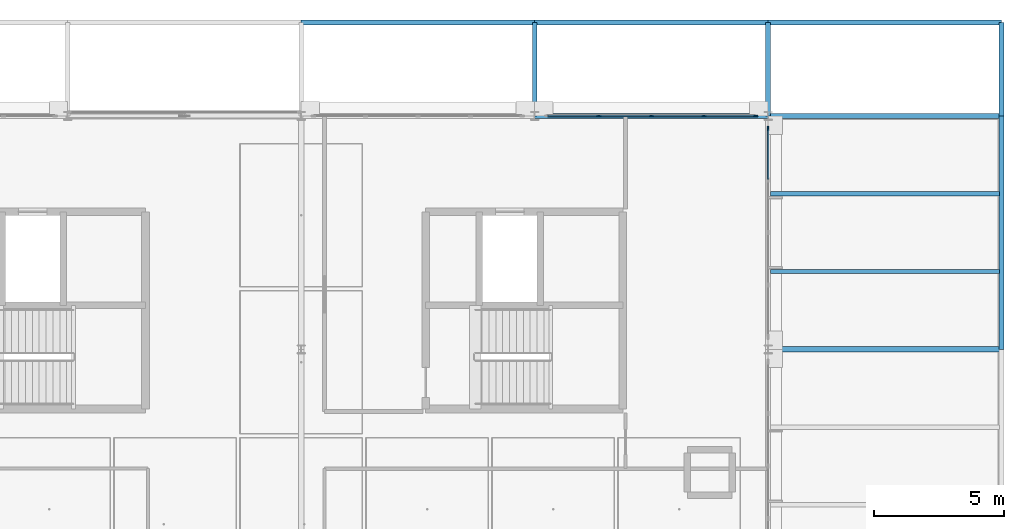
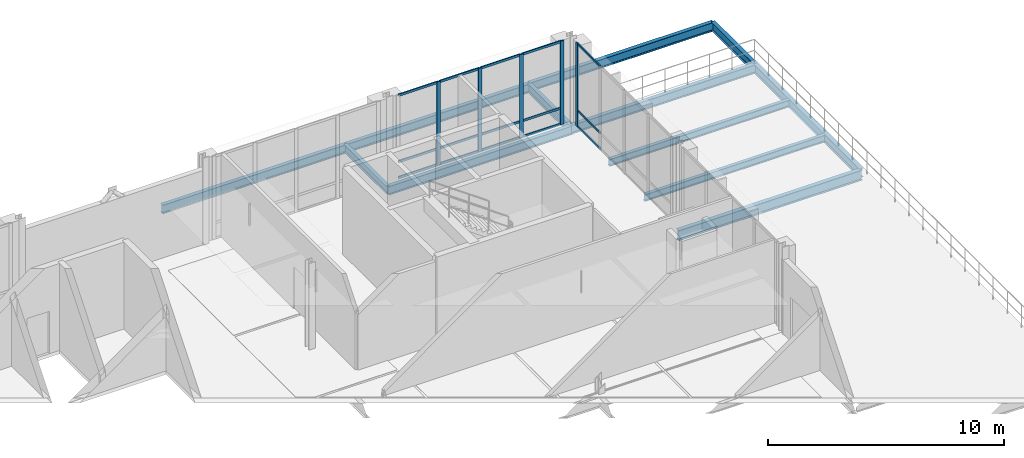
# One storey, part 33 of 66: 20 members, 12 beams, 2 elements without a shape of their own.
"""IFC4 building model written with IfcOpenShell, lengths in metres."""

from ifc_helpers import new_model, si_unit, direction, frame, origin, origin_2d, place, context, subcontext, project, spatial, rectangle, i_section, extrude, material, material_profile, profile_set, type_object, element, aggregate, save


model = new_model("IFC4")

# Units and contexts
model_context = context("Model", 3, precision=1e-05, world=origin(), true_north=direction((0.0, 1.0)))
body_context = subcontext(model_context, "Body", "Model", "MODEL_VIEW")
ifc_project = project(units=[si_unit("LENGTHUNIT", "METRE"), si_unit("AREAUNIT", "SQUARE_METRE"), si_unit("VOLUMEUNIT", "CUBIC_METRE"), si_unit("PLANEANGLEUNIT", "RADIAN"), si_unit("MASSUNIT", "GRAM", prefix="KILO"), si_unit("THERMODYNAMICTEMPERATUREUNIT", "KELVIN"), si_unit("POWERUNIT", "WATT")], contexts=[model_context])

# Site, building, storey
site_placement = place(None, origin())
site = spatial("IfcSite", under=ifc_project, at=site_placement, CompositionType="ELEMENT")
building_placement = place(site_placement, origin())
building = spatial("IfcBuilding", under=site, at=building_placement, Name="Tallowbark Science Centre", CompositionType="ELEMENT")
storey_placement = place(building_placement, frame((0.0, 0.0, 18.89990234375)))
storey = spatial("IfcBuildingStorey", under=building, at=storey_placement, Name="L04", CompositionType="ELEMENT", Elevation=18.89990234375)

# Beams
ifc_material_1 = material(Name="Structural Steel Grade 300PLUS (300 MPa)", Category="steel")
ifc_material_profile_1 = material_profile(ifc_material_1, i_section(OverallWidth=0.177734375, OverallDepth=0.406494140625, WebThickness=0.0078125, FlangeThickness=0.0126953125, FilletRadius=0.011474609375, at=origin_2d()), Name="410UB59.7")
ifc_profile_set_1 = profile_set([ifc_material_profile_1], Name="Structural Steel Grade 300PLUS (300 MPa)")
beam_type_1 = type_object("IfcBeamType", Name="BM-UB410", PredefinedType="BEAM", material=ifc_profile_set_1)
beam_1_placement = place(storey_placement, frame((139.5, 108.0, -0.4130859375), z_axis=(0.0, 1.0, 0.0), x_axis=(-1.0, 0.0, 0.0)))
element("IfcBeam", 1, at=beam_1_placement, inside=storey, type_object=beam_type_1, Name="Primary Girder GRDY-L04-1395-1080-1116", PredefinedType="BEAM", context=body_context, shape_type="SweptSolid", body=[
    extrude(i_section(OverallWidth=0.177734375, OverallDepth=0.406494140625, WebThickness=0.0078125, FlangeThickness=0.0126953125, FilletRadius=0.011474609375, at=origin_2d()), origin(), (0.0, 0.0, 1.0), 3.60009765625),
])
ifc_material_profile_2 = material_profile(ifc_material_1, i_section(OverallWidth=0.208984375, OverallDepth=0.532958984375, WebThickness=0.01025390625, FlangeThickness=0.015625, FilletRadius=0.013916015625, at=origin_2d()), Name="530UB92.4")
ifc_profile_set_2 = profile_set([ifc_material_profile_2], Name="Structural Steel Grade 300PLUS (300 MPa)")
beam_type_2 = type_object("IfcBeamType", Name="BM-UB530A", PredefinedType="BEAM", material=ifc_profile_set_2)
beam_2_placement = place(storey_placement, frame((148.5, 99.0, -0.4462890625), z_axis=(1.0, 0.0, 0.0), x_axis=(0.0, 1.0, 0.0)))
element("IfcBeam", 2, at=beam_2_placement, inside=storey, type_object=beam_type_2, Name="Primary Girder GRDX-L04-1485-1575-990", PredefinedType="BEAM", context=body_context, shape_type="SweptSolid", body=[
    extrude(i_section(OverallWidth=0.208984375, OverallDepth=0.532958984375, WebThickness=0.01025390625, FlangeThickness=0.015625, FilletRadius=0.013916015625, at=origin_2d()), origin(), (0.0, 0.0, 1.0), 9.0),
])

# Curtain wall, members
ifc_material_2 = material(Name="Unitised Thermally Broken Aluminium and Low-E Double Glazing", Category="aluminium")
curtain_wall_type = type_object("IfcCurtainWallType", Name="CW-SYS-FACADE", PredefinedType="NOTDEFINED", material=ifc_material_2)
curtain_wall_1_placement = place(storey_placement, origin())
curtain_wall_1 = element("IfcCurtainWall", 3, at=curtain_wall_1_placement, inside=storey, type_object=curtain_wall_type, Name="Unitised Curtain Wall OBS4-N-139 CW-L04-196", PredefinedType="NOTDEFINED")
ifc_material_3 = material(Name="Anodised Architectural Aluminium Alloy 6063-T6", Category="aluminium")
ifc_material_profile_3 = material_profile(ifc_material_3, rectangle(XDim=0.06494140625, YDim=0.179931640625, at=origin_2d()), Name="ALU65x180")
ifc_profile_set_3 = profile_set([ifc_material_profile_3], Name="Anodised Architectural Aluminium Alloy 6063-T6")
member_type_1 = type_object("IfcMemberType", Name="CWM-MUL-220", PredefinedType="MULLION", material=ifc_profile_set_3)
member_1_placement = place(storey_placement, frame((148.017578125, 108.0, 0.0), z_axis=(0.0, 0.0, 1.0), x_axis=(0.0, -1.0, 0.0)))
member_1 = element("IfcMember", 4, at=member_1_placement, type_object=member_type_1, Name="CW-01 mullion 1", PredefinedType="MULLION", context=body_context, shape_type="SweptSolid", body=[
    extrude(rectangle(XDim=0.06494140625, YDim=0.179931640625, at=origin_2d()), origin(), (0.0, 0.0, 1.0), 4.320068359375),
])
member_2_placement = place(storey_placement, frame((146.02490234375, 108.0, 0.0), z_axis=(0.0, 0.0, 1.0), x_axis=(0.0, -1.0, 0.0)))
member_2 = element("IfcMember", 5, at=member_2_placement, type_object=member_type_1, Name="CW-01 mullion 2", PredefinedType="MULLION", context=body_context, shape_type="SweptSolid", body=[
    extrude(rectangle(XDim=0.06494140625, YDim=0.179931640625, at=origin_2d()), origin(), (0.0, 0.0, 1.0), 4.320068359375),
])
member_3_placement = place(storey_placement, frame((144.0, 108.0, 0.0), z_axis=(0.0, 0.0, 1.0), x_axis=(0.0, -1.0, 0.0)))
member_3 = element("IfcMember", 6, at=member_3_placement, type_object=member_type_1, Name="CW-01 mullion 3", PredefinedType="MULLION", context=body_context, shape_type="SweptSolid", body=[
    extrude(rectangle(XDim=0.06494140625, YDim=0.179931640625, at=origin_2d()), origin(), (0.0, 0.0, 1.0), 4.320068359375),
])
member_4_placement = place(storey_placement, frame((141.97509765625, 108.0, 0.0), z_axis=(0.0, 0.0, 1.0), x_axis=(0.0, -1.0, 0.0)))
member_4 = element("IfcMember", 7, at=member_4_placement, type_object=member_type_1, Name="CW-01 mullion 4", PredefinedType="MULLION", context=body_context, shape_type="SweptSolid", body=[
    extrude(rectangle(XDim=0.06494140625, YDim=0.179931640625, at=origin_2d()), origin(), (0.0, 0.0, 1.0), 4.320068359375),
])

# Curtain wall, member
curtain_wall_2_placement = place(storey_placement, origin())
curtain_wall_2 = element("IfcCurtainWall", 8, at=curtain_wall_2_placement, inside=storey, type_object=curtain_wall_type, Name="Unitised Curtain Wall OBS4-E-99 CW-L04-199", PredefinedType="NOTDEFINED")
member_5_placement = place(storey_placement, frame((148.5, 107.517578125, 0.0), z_axis=(0.0, 0.0, 1.0), x_axis=(-1.0, 0.0, 0.0)))
member_5 = element("IfcMember", 9, at=member_5_placement, type_object=member_type_1, Name="CW-01 mullion 5", PredefinedType="MULLION", context=body_context, shape_type="SweptSolid", body=[
    extrude(rectangle(XDim=0.06494140625, YDim=0.179931640625, at=origin_2d()), origin(), (0.0, 0.0, 1.0), 4.320068359375),
])

# Member
ifc_material_profile_4 = material_profile(ifc_material_3, rectangle(XDim=0.054931640625, YDim=0.1201171875, at=origin_2d()), Name="ALU55x120")
ifc_profile_set_4 = profile_set([ifc_material_profile_4], Name="Anodised Architectural Aluminium Alloy 6063-T6")
member_type_2 = type_object("IfcMemberType", Name="CWM-TRN-150", PredefinedType="USERDEFINED", material=ifc_profile_set_4)
member_6_placement = place(storey_placement, frame((147.985107421875, 108.0, 0.027587890625), z_axis=(-1.0, 0.0, 0.0), x_axis=(0.0, -1.0, 0.0)))
member_6 = element("IfcMember", 10, at=member_6_placement, type_object=member_type_2, Name="CW-01 transom 1.1", ObjectType="TRANSOM", PredefinedType="USERDEFINED", context=body_context, shape_type="SweptSolid", body=[
    extrude(rectangle(XDim=0.054931640625, YDim=0.1201171875, at=origin_2d()), origin(), (0.0, 0.0, 1.0), 1.927490234375),
])

member_7_placement = place(storey_placement, frame((147.985107421875, 108.0, 0.85009765625), z_axis=(-1.0, 0.0, 0.0), x_axis=(0.0, -1.0, 0.0)))
member_7 = element("IfcMember", 11, at=member_7_placement, type_object=member_type_2, Name="CW-01 transom 1.2", ObjectType="TRANSOM", PredefinedType="USERDEFINED", context=body_context, shape_type="SweptSolid", body=[
    extrude(rectangle(XDim=0.054931640625, YDim=0.1201171875, at=origin_2d()), origin(), (0.0, 0.0, 1.0), 1.927490234375),
])

member_8_placement = place(storey_placement, frame((147.985107421875, 108.0, 4.29248046875), z_axis=(-1.0, 0.0, 0.0), x_axis=(0.0, -1.0, 0.0)))
member_8 = element("IfcMember", 12, at=member_8_placement, type_object=member_type_2, Name="CW-01 transom 1.3", ObjectType="TRANSOM", PredefinedType="USERDEFINED", context=body_context, shape_type="SweptSolid", body=[
    extrude(rectangle(XDim=0.054931640625, YDim=0.1201171875, at=origin_2d()), origin(), (0.0, 0.0, 1.0), 1.927490234375),
])

member_9_placement = place(storey_placement, frame((145.992431640625, 108.0, 0.027587890625), z_axis=(-1.0, 0.0, 0.0), x_axis=(0.0, -1.0, 0.0)))
member_9 = element("IfcMember", 13, at=member_9_placement, type_object=member_type_2, Name="CW-01 transom 2.1", ObjectType="TRANSOM", PredefinedType="USERDEFINED", context=body_context, shape_type="SweptSolid", body=[
    extrude(rectangle(XDim=0.054931640625, YDim=0.1201171875, at=origin_2d()), origin(), (0.0, 0.0, 1.0), 1.9599609375),
])

member_10_placement = place(storey_placement, frame((145.992431640625, 108.0, 0.85009765625), z_axis=(-1.0, 0.0, 0.0), x_axis=(0.0, -1.0, 0.0)))
member_10 = element("IfcMember", 14, at=member_10_placement, type_object=member_type_2, Name="CW-01 transom 2.2", ObjectType="TRANSOM", PredefinedType="USERDEFINED", context=body_context, shape_type="SweptSolid", body=[
    extrude(rectangle(XDim=0.054931640625, YDim=0.1201171875, at=origin_2d()), origin(), (0.0, 0.0, 1.0), 1.9599609375),
])

member_11_placement = place(storey_placement, frame((145.992431640625, 108.0, 4.29248046875), z_axis=(-1.0, 0.0, 0.0), x_axis=(0.0, -1.0, 0.0)))
member_11 = element("IfcMember", 15, at=member_11_placement, type_object=member_type_2, Name="CW-01 transom 2.3", ObjectType="TRANSOM", PredefinedType="USERDEFINED", context=body_context, shape_type="SweptSolid", body=[
    extrude(rectangle(XDim=0.054931640625, YDim=0.1201171875, at=origin_2d()), origin(), (0.0, 0.0, 1.0), 1.9599609375),
])

member_12_placement = place(storey_placement, frame((143.967529296875, 108.0, 0.027587890625), z_axis=(-1.0, 0.0, 0.0), x_axis=(0.0, -1.0, 0.0)))
member_12 = element("IfcMember", 16, at=member_12_placement, type_object=member_type_2, Name="CW-01 transom 3.1", ObjectType="TRANSOM", PredefinedType="USERDEFINED", context=body_context, shape_type="SweptSolid", body=[
    extrude(rectangle(XDim=0.054931640625, YDim=0.1201171875, at=origin_2d()), origin(), (0.0, 0.0, 1.0), 1.9599609375),
])

member_13_placement = place(storey_placement, frame((143.967529296875, 108.0, 0.85009765625), z_axis=(-1.0, 0.0, 0.0), x_axis=(0.0, -1.0, 0.0)))
member_13 = element("IfcMember", 17, at=member_13_placement, type_object=member_type_2, Name="CW-01 transom 3.2", ObjectType="TRANSOM", PredefinedType="USERDEFINED", context=body_context, shape_type="SweptSolid", body=[
    extrude(rectangle(XDim=0.054931640625, YDim=0.1201171875, at=origin_2d()), origin(), (0.0, 0.0, 1.0), 1.9599609375),
])

member_14_placement = place(storey_placement, frame((143.967529296875, 108.0, 4.29248046875), z_axis=(-1.0, 0.0, 0.0), x_axis=(0.0, -1.0, 0.0)))
member_14 = element("IfcMember", 18, at=member_14_placement, type_object=member_type_2, Name="CW-01 transom 3.3", ObjectType="TRANSOM", PredefinedType="USERDEFINED", context=body_context, shape_type="SweptSolid", body=[
    extrude(rectangle(XDim=0.054931640625, YDim=0.1201171875, at=origin_2d()), origin(), (0.0, 0.0, 1.0), 1.9599609375),
])

member_15_placement = place(storey_placement, frame((141.9423828125, 108.0, 0.027587890625), z_axis=(-1.0, 0.0, 0.0), x_axis=(0.0, -1.0, 0.0)))
member_15 = element("IfcMember", 19, at=member_15_placement, type_object=member_type_2, Name="CW-01 transom 4.1", ObjectType="TRANSOM", PredefinedType="USERDEFINED", context=body_context, shape_type="SweptSolid", body=[
    extrude(rectangle(XDim=0.054931640625, YDim=0.1201171875, at=origin_2d()), origin(), (0.0, 0.0, 1.0), 1.927490234375),
])

member_16_placement = place(storey_placement, frame((141.9423828125, 108.0, 0.85009765625), z_axis=(-1.0, 0.0, 0.0), x_axis=(0.0, -1.0, 0.0)))
member_16 = element("IfcMember", 20, at=member_16_placement, type_object=member_type_2, Name="CW-01 transom 4.2", ObjectType="TRANSOM", PredefinedType="USERDEFINED", context=body_context, shape_type="SweptSolid", body=[
    extrude(rectangle(XDim=0.054931640625, YDim=0.1201171875, at=origin_2d()), origin(), (0.0, 0.0, 1.0), 1.927490234375),
])

member_17_placement = place(storey_placement, frame((141.9423828125, 108.0, 4.29248046875), z_axis=(-1.0, 0.0, 0.0), x_axis=(0.0, -1.0, 0.0)))
member_17 = element("IfcMember", 21, at=member_17_placement, type_object=member_type_2, Name="CW-01 transom 4.3", ObjectType="TRANSOM", PredefinedType="USERDEFINED", context=body_context, shape_type="SweptSolid", body=[
    extrude(rectangle(XDim=0.054931640625, YDim=0.1201171875, at=origin_2d()), origin(), (0.0, 0.0, 1.0), 1.927490234375),
])

aggregate(curtain_wall_1, [member_1, member_2, member_3, member_4, member_6, member_7, member_8, member_9, member_10, member_11, member_12, member_13, member_14, member_15, member_16, member_17])

member_18_placement = place(storey_placement, frame((148.5, 105.5576171875, 0.027587890625), z_axis=(0.0, 1.0, 0.0), x_axis=(-1.0, 0.0, 0.0)))
member_18 = element("IfcMember", 22, at=member_18_placement, type_object=member_type_2, Name="CW-01 transom 4.1", ObjectType="TRANSOM", PredefinedType="USERDEFINED", context=body_context, shape_type="SweptSolid", body=[
    extrude(rectangle(XDim=0.054931640625, YDim=0.1201171875, at=origin_2d()), origin(), (0.0, 0.0, 1.0), 1.927490234375),
])

member_19_placement = place(storey_placement, frame((148.5, 105.5576171875, 0.85009765625), z_axis=(0.0, 1.0, 0.0), x_axis=(-1.0, 0.0, 0.0)))
member_19 = element("IfcMember", 23, at=member_19_placement, type_object=member_type_2, Name="CW-01 transom 4.2", ObjectType="TRANSOM", PredefinedType="USERDEFINED", context=body_context, shape_type="SweptSolid", body=[
    extrude(rectangle(XDim=0.054931640625, YDim=0.1201171875, at=origin_2d()), origin(), (0.0, 0.0, 1.0), 1.927490234375),
])

member_20_placement = place(storey_placement, frame((148.5, 105.5576171875, 4.29248046875), z_axis=(0.0, 1.0, 0.0), x_axis=(-1.0, 0.0, 0.0)))
member_20 = element("IfcMember", 24, at=member_20_placement, type_object=member_type_2, Name="CW-01 transom 4.3", ObjectType="TRANSOM", PredefinedType="USERDEFINED", context=body_context, shape_type="SweptSolid", body=[
    extrude(rectangle(XDim=0.054931640625, YDim=0.1201171875, at=origin_2d()), origin(), (0.0, 0.0, 1.0), 1.927490234375),
])

aggregate(curtain_wall_2, [member_5, member_18, member_19, member_20])

# Beams
ifc_material_profile_5 = material_profile(ifc_material_1, i_section(OverallWidth=0.172119140625, OverallDepth=0.358642578125, WebThickness=0.008056640625, FlangeThickness=0.012939453125, FilletRadius=0.011474609375, at=origin_2d()), Name="360UB56.7")
ifc_profile_set_5 = profile_set([ifc_material_profile_5], Name="Structural Steel Grade 300PLUS (300 MPa)")
beam_type_3 = type_object("IfcBeamType", Name="JST-UB360", PredefinedType="JOIST", material=ifc_profile_set_5)
for number, where, z_axis, x_axis, name in (
    (25, (148.5849609375, 102.0, -0.359130859375), (1.0, 0.0, 0.0), (0.0, 1.0, 0.0), "Composite Floor Joist JSTX-L04-1485-1020"),
    (26, (148.5849609375, 105.0, -0.359130859375), (1.0, 0.0, 0.0), (0.0, 1.0, 0.0), "Composite Floor Joist JSTX-L04-1485-1050"),
):
    element("IfcBeam", number, at=place(storey_placement, frame(where, z_axis=z_axis, x_axis=x_axis)), inside=storey, type_object=beam_type_3, Name=name, PredefinedType="JOIST", context=body_context, shape_type="SweptSolid", body=[
        extrude(i_section(OverallWidth=0.172119140625, OverallDepth=0.358642578125, WebThickness=0.008056640625, FlangeThickness=0.012939453125, FilletRadius=0.011474609375, at=origin_2d()), origin(), (0.0, 0.0, 1.0), 8.830078125),
    ])
ifc_material_profile_6 = material_profile(ifc_material_1, i_section(OverallWidth=0.18994140625, OverallDepth=0.453857421875, WebThickness=0.008544921875, FlangeThickness=0.0126953125, FilletRadius=0.011474609375, at=origin_2d()), Name="460UB67.1")
ifc_profile_set_6 = profile_set([ifc_material_profile_6], Name="Structural Steel Grade 300PLUS (300 MPa)")
beam_type_4 = type_object("IfcBeamType", Name="SPN-UB460", PredefinedType="SPANDREL", material=ifc_profile_set_6)
for number, where, z_axis, x_axis, name in (
    (27, (139.5, 108.0, -0.436767578125), (1.0, 0.0, 0.0), (0.0, 1.0, 0.0), "Primary Girder GRDX-L04-1395-1485-1080"),
    (28, (148.5, 108.0, -0.40673828125), (1.0, 0.0, 0.0), (0.0, 1.0, 0.0), "Primary Girder GRDX-L04-1485-1575-1080"),
    (29, (130.5, 111.60009765625, -0.436767578125), (1.0, 0.0, 0.0), (0.0, 1.0, 0.0), "Primary Girder GRDX-L04-1305-1395-1116"),
    (30, (139.5, 111.60009765625, -0.436767578125), (1.0, 0.0, 0.0), (0.0, 1.0, 0.0), "Primary Girder GRDX-L04-1395-1485-1116"),
    (31, (148.5, 111.60009765625, -0.40673828125), (1.0, 0.0, 0.0), (0.0, 1.0, 0.0), "Primary Girder GRDX-L04-1485-1575-1116"),
):
    element("IfcBeam", number, at=place(storey_placement, frame(where, z_axis=z_axis, x_axis=x_axis)), inside=storey, type_object=beam_type_4, Name=name, PredefinedType="SPANDREL", context=body_context, shape_type="SweptSolid", body=[
        extrude(i_section(OverallWidth=0.18994140625, OverallDepth=0.453857421875, WebThickness=0.008544921875, FlangeThickness=0.0126953125, FilletRadius=0.011474609375, at=origin_2d()), origin(), (0.0, 0.0, 1.0), 9.0),
    ])
beam_3_placement = place(storey_placement, frame((148.5, 108.0, -0.436767578125), z_axis=(0.0, 1.0, 0.0), x_axis=(-1.0, 0.0, 0.0)))
element("IfcBeam", 32, at=beam_3_placement, inside=storey, type_object=beam_type_4, Name="Primary Girder GRDY-L04-1485-1080-1116", PredefinedType="SPANDREL", context=body_context, shape_type="SweptSolid", body=[
    extrude(i_section(OverallWidth=0.18994140625, OverallDepth=0.453857421875, WebThickness=0.008544921875, FlangeThickness=0.0126953125, FilletRadius=0.011474609375, at=origin_2d()), origin(), (0.0, 0.0, 1.0), 3.60009765625),
])
beam_4_placement = place(storey_placement, frame((157.5, 99.0, -0.40673828125), z_axis=(0.0, 1.0, 0.0), x_axis=(-1.0, 0.0, 0.0)))
element("IfcBeam", 33, at=beam_4_placement, inside=storey, type_object=beam_type_4, Name="Primary Girder GRDY-L04-1575-990-1080", PredefinedType="SPANDREL", context=body_context, shape_type="SweptSolid", body=[
    extrude(i_section(OverallWidth=0.18994140625, OverallDepth=0.453857421875, WebThickness=0.008544921875, FlangeThickness=0.0126953125, FilletRadius=0.011474609375, at=origin_2d()), origin(), (0.0, 0.0, 1.0), 9.0),
])
beam_5_placement = place(storey_placement, frame((157.5, 108.0, -0.40673828125), z_axis=(0.0, 1.0, 0.0), x_axis=(-1.0, 0.0, 0.0)))
element("IfcBeam", 34, at=beam_5_placement, inside=storey, type_object=beam_type_4, Name="Primary Girder GRDY-L04-1575-1080-1116", PredefinedType="SPANDREL", context=body_context, shape_type="SweptSolid", body=[
    extrude(i_section(OverallWidth=0.18994140625, OverallDepth=0.453857421875, WebThickness=0.008544921875, FlangeThickness=0.0126953125, FilletRadius=0.011474609375, at=origin_2d()), origin(), (0.0, 0.0, 1.0), 3.60009765625),
])

save(model, "model.ifc")
